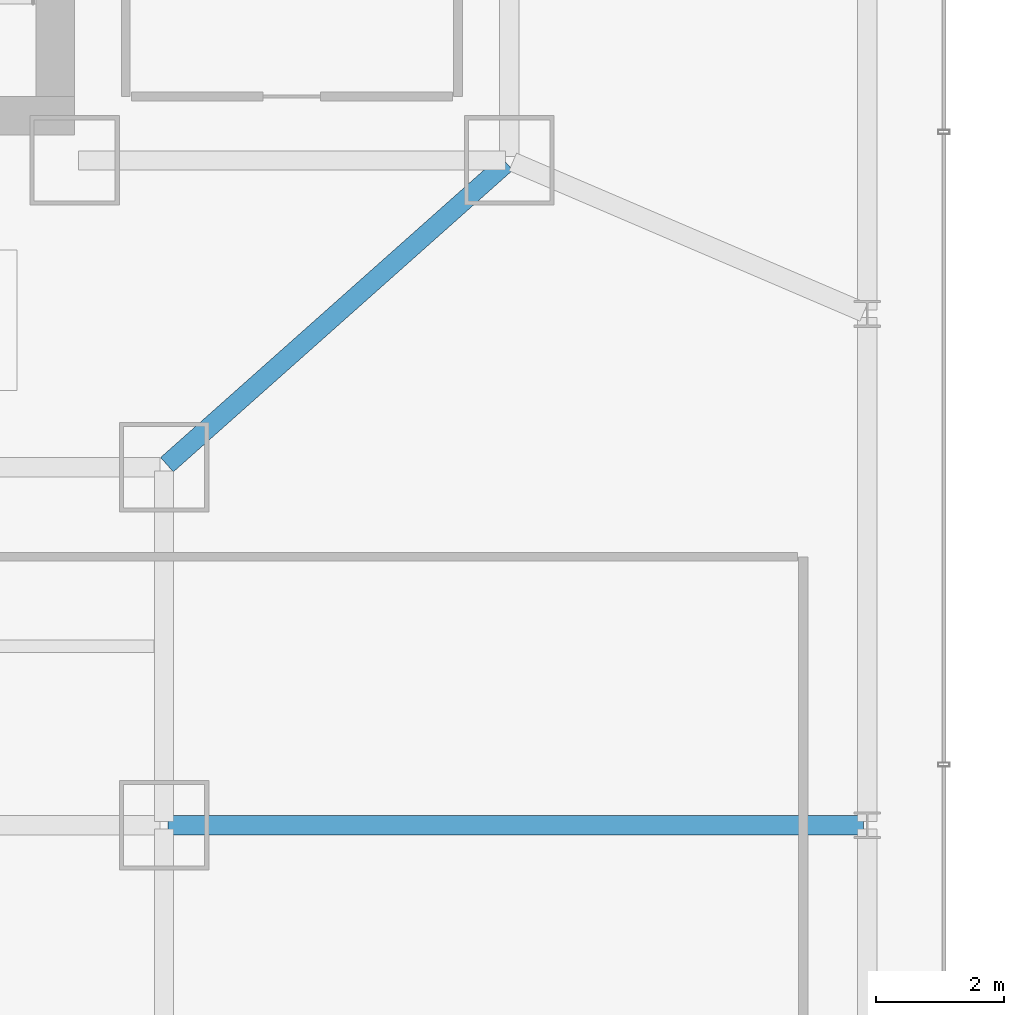
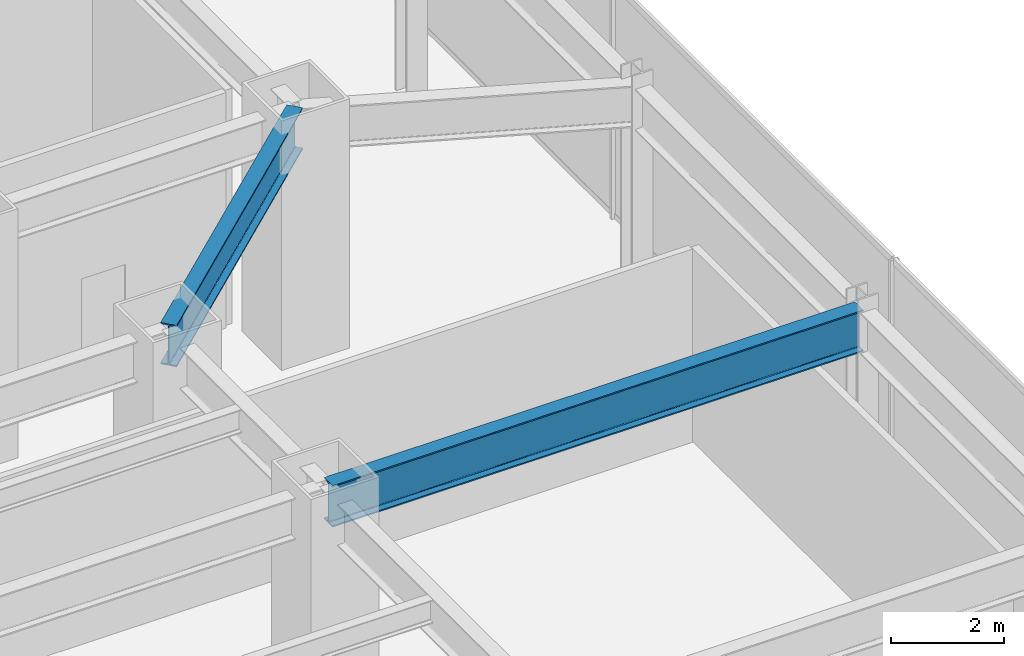
# One storey, part 27 of 52: 2 beams.
"""IFC4 building model written with IfcOpenShell, lengths in metres."""

import ifcopenshell
import ifcopenshell.guid

model = None  # the IFC model being written
_history = None  # IfcOwnerHistory: only IFC2X3 demands one
_inside = {}  # id of a spatial element -> (the spatial element, [elements in it])
_under = {}  # id of a project, library or spatial element -> (it, [spatial elements below it])
_declared = {}  # id of a project -> (the project, [libraries it declares])
_typed = {}  # id of a type object -> (the type object, [elements of that type])
_made_of = {}  # id of a material, layer set ... -> (it, [elements and type objects made of it])


def new_model(schema):
    """Start an empty IFC model of exactly this schema.

    Asked for "IFC4X3", IfcOpenShell would pick the latest addendum, in which some entities
    have other attributes; the version numbers below select the first issue.
    IFC2X3 requires an IfcOwnerHistory on every rooted entity: one is made here for all.
    """
    global model, _history
    if schema == "IFC4X3":
        model = ifcopenshell.file(schema_version=(4, 3, 0, 0))
    else:
        model = ifcopenshell.file(schema=schema)
    _inside.clear()
    _under.clear()
    _declared.clear()
    _typed.clear()
    _made_of.clear()
    _history = None
    if model.schema == "IFC2X3":
        org = make("IfcOrganization", Name="unknown")
        user = make(
            "IfcPersonAndOrganization",
            ThePerson=make("IfcPerson", FamilyName="unknown"),
            TheOrganization=org,
        )
        app = make(
            "IfcApplication",
            ApplicationDeveloper=org,
            Version="unknown",
            ApplicationFullName="unknown",
            ApplicationIdentifier="unknown",
        )
        _history = make(
            "IfcOwnerHistory",
            OwningUser=user,
            OwningApplication=app,
            ChangeAction="ADDED",
            CreationDate=0,
        )
    return model


def make(cls, **values):
    """One entity of the class cls with the attributes given. An attribute that is None is left unset."""
    return model.create_entity(
        cls, **{name: value for name, value in values.items() if value is not None}
    )


def rooted(cls, **values):
    """An entity with a GlobalId (a new one), such as an element, a storey or a relation."""
    return make(cls, GlobalId=ifcopenshell.guid.new(), OwnerHistory=_history, **values)


def si_unit(unit_type, name, prefix=None):
    """IfcSIUnit, for example si_unit("LENGTHUNIT", "METRE", prefix="MILLI")."""
    return make("IfcSIUnit", UnitType=unit_type, Prefix=prefix, Name=name)


def assignment(units):
    """IfcUnitAssignment: the units of a project."""
    return None if units is None else make("IfcUnitAssignment", Units=units)


def point(xyz):
    """IfcCartesianPoint."""
    return None if xyz is None else make("IfcCartesianPoint", Coordinates=xyz)


def direction(xyz):
    """IfcDirection."""
    return None if xyz is None else make("IfcDirection", DirectionRatios=xyz)


def frame(location, z_axis=None, x_axis=None):
    """IfcAxis2Placement3D, a coordinate frame: its origin and axes. An axis left out is left unset."""
    return make(
        "IfcAxis2Placement3D",
        Location=point(location),
        Axis=direction(z_axis),
        RefDirection=direction(x_axis),
    )


def frame_2d(location, x_axis=None):
    """IfcAxis2Placement2D, a coordinate frame in the plane: its origin and x axis."""
    return make(
        "IfcAxis2Placement2D", Location=point(location), RefDirection=direction(x_axis)
    )


def origin():
    """The frame at (0, 0, 0) with its axes left unset."""
    return frame((0.0, 0.0, 0.0))


def origin_2d():
    """The frame at (0, 0) in the plane with its x axis left unset."""
    return frame_2d((0.0, 0.0))


def place(relative_to, where):
    """IfcLocalPlacement: puts the frame where relative to a parent placement (None: the world)."""
    return make(
        "IfcLocalPlacement", PlacementRelTo=relative_to, RelativePlacement=where
    )


def context(
    kind, dimensions, precision=None, world=None, true_north=None, identifier=None
):
    """IfcGeometricRepresentationContext, for example the 3D "Model" context."""
    return make(
        "IfcGeometricRepresentationContext",
        ContextIdentifier=identifier,
        ContextType=kind,
        CoordinateSpaceDimension=dimensions,
        Precision=precision,
        WorldCoordinateSystem=world,
        TrueNorth=true_north,
    )


def subcontext(parent, identifier, kind, view, scale=None):
    """IfcGeometricRepresentationSubContext, for example "Body" below "Model"."""
    return make(
        "IfcGeometricRepresentationSubContext",
        ContextIdentifier=identifier,
        ContextType=kind,
        ParentContext=parent,
        TargetScale=scale,
        TargetView=view,
    )


def project(units=None, contexts=None):
    """IfcProject with its units and contexts."""
    return rooted(
        "IfcProject",
        Name="project",
        RepresentationContexts=contexts,
        UnitsInContext=assignment(units),
    )


def spatial(cls, under=None, at=None, **own):
    """A site, building, storey or space (cls), placed at a placement, below another one or the project."""
    s = rooted(cls, ObjectPlacement=at, **own)
    if under is not None:
        _under.setdefault(under.id(), (under, []))[1].append(s)
    return s


def profile(cls, at=None, kind="AREA", **sizes):
    """A parametric profile (cls). Its sizes go by their IFC names, for example OverallWidth=200.0."""
    return make(cls, ProfileType=kind, Position=at, **sizes)


def i_section(**sizes):
    """IfcIShapeProfileDef."""
    return profile("IfcIShapeProfileDef", **sizes)


def extrude(swept, where, along, depth):
    """IfcExtrudedAreaSolid: the profile swept, set in the frame where, extruded along a direction by depth."""
    return make(
        "IfcExtrudedAreaSolid",
        SweptArea=swept,
        Position=where,
        ExtrudedDirection=direction(along),
        Depth=depth,
    )


def shape(context_of_items, identifier, shape_type, items):
    """IfcShapeRepresentation: the items that make up one representation, for example the "Body"."""
    return make(
        "IfcShapeRepresentation",
        ContextOfItems=context_of_items,
        RepresentationIdentifier=identifier,
        RepresentationType=shape_type,
        Items=items,
    )


def material(Name=None, Category=None):
    """IfcMaterial."""
    return make("IfcMaterial", Name=Name, Category=Category)


def material_profile(
    of_material, cross_section, Name=None, Category=None, Priority=None
):
    """IfcMaterialProfile: a cross section and its material."""
    return make(
        "IfcMaterialProfile",
        Name=Name,
        Material=of_material,
        Profile=cross_section,
        Priority=Priority,
        Category=Category,
    )


def profile_set(profiles, Name=None, composite=None):
    """IfcMaterialProfileSet."""
    return make(
        "IfcMaterialProfileSet",
        Name=Name,
        MaterialProfiles=profiles,
        CompositeProfile=composite,
    )


def made_of(thing, what):
    """Note that an element or type object is made of a material, layer set ...; save() writes the relation."""
    if what is not None:
        _made_of.setdefault(what.id(), (what, []))[1].append(thing)
    return thing


def type_object(cls, material=None, **own):
    """A type object (cls), such as IfcWallType, which elements share."""
    return made_of(rooted(cls, **own), material)


def element(
    cls,
    number,
    at=None,
    inside=None,
    cuts=None,
    type_object=None,
    material=None,
    context=None,
    identifier="Body",
    shape_type=None,
    held_by="IfcProductDefinitionShape",
    body=None,
    shapes=None,
    **own,
):
    """One element of the class cls, such as IfcWall. Its Tag is "e" and its number.

    at: its placement. inside: the storey or other place that contains it. cuts: it is an
    opening in that element (IfcRelVoidsElement). A single representation is given by context,
    identifier, shape_type and body (its items); several are given by shapes. held_by: the class
    of the entity that holds the representations. save() writes the other relations.
    """
    e = rooted(cls, Tag="e%d" % number, ObjectPlacement=at, **own)
    if body is not None:
        shapes = [shape(context, identifier, shape_type, body)]
    if shapes is not None:
        e.Representation = make(held_by, Representations=shapes)
    if inside is not None:
        _inside.setdefault(inside.id(), (inside, []))[1].append(e)
    if cuts is not None:
        rooted(
            "IfcRelVoidsElement", RelatingBuildingElement=cuts, RelatedOpeningElement=e
        )
    if type_object is not None:
        _typed.setdefault(type_object.id(), (type_object, []))[1].append(e)
    return made_of(e, material)


def aggregate(whole, parts):
    """IfcRelAggregates: a whole, such as a stair, and the parts it consists of."""
    return rooted("IfcRelAggregates", RelatingObject=whole, RelatedObjects=parts)


def save(model, path):
    """Write the relations noted so far, then the file.

    IfcRelAggregates (storeys below a building ...), IfcRelContainedInSpatialStructure (elements
    in a storey), IfcRelDefinesByType, IfcRelAssociatesMaterial and IfcRelDeclares: one each for
    every whole, place, type object, material and project.
    """
    for whole, parts in _under.values():
        aggregate(whole, parts)
    for where, things in _inside.values():
        rooted(
            "IfcRelContainedInSpatialStructure",
            RelatedElements=things,
            RelatingStructure=where,
        )
    for kind, things in _typed.values():
        rooted("IfcRelDefinesByType", RelatedObjects=things, RelatingType=kind)
    for what, things in _made_of.values():
        rooted("IfcRelAssociatesMaterial", RelatedObjects=things, RelatingMaterial=what)
    for by, libraries in _declared.values():
        rooted("IfcRelDeclares", RelatingContext=by, RelatedDefinitions=libraries)
    model.write(path)


model = new_model("IFC4")

# Units and contexts
model_context = context("Model", 3, precision=1e-05, world=origin(), true_north=direction((0.0, 1.0)))
body_context = subcontext(model_context, "Body", "Model", "MODEL_VIEW")
ifc_project = project(units=[si_unit("LENGTHUNIT", "METRE"), si_unit("AREAUNIT", "SQUARE_METRE"), si_unit("VOLUMEUNIT", "CUBIC_METRE"), si_unit("PLANEANGLEUNIT", "RADIAN"), si_unit("MASSUNIT", "GRAM", prefix="KILO")], contexts=[model_context])

# Site, building, storey
site_placement = place(None, origin())
site = spatial("IfcSite", under=ifc_project, at=site_placement, CompositionType="ELEMENT")
building_placement = place(site_placement, origin())
building = spatial("IfcBuilding", under=site, at=building_placement, Name="Saevonmaru Cultural Tower", CompositionType="ELEMENT")
storey_placement = place(building_placement, frame((0.0, 0.0, 16.800048828125)))
storey = spatial("IfcBuildingStorey", under=building, at=storey_placement, Name="L03", CompositionType="ELEMENT", Elevation=16.800048828125)

# Beams
ifc_material = material(Name="Steel SM420", Category="steel")
ifc_material_profile = material_profile(ifc_material, i_section(OverallWidth=0.300048828125, OverallDepth=0.89990234375, WebThickness=0.01611328125, FlangeThickness=0.028076171875, FilletRadius=0.028076171875, at=origin_2d()), Name="H-900x300x16x28")
ifc_profile_set = profile_set([ifc_material_profile], Name="Steel SM420")
beam_type = type_object("IfcBeamType", Name="BM-G-H900", PredefinedType="BEAM", material=ifc_profile_set)
beam_1_placement = place(storey_placement, frame((47.8447265625, 37.639892578125, 4.64990234375), z_axis=(0.74742827637, 0.664342510819, 0.0), x_axis=(-0.664342510819, 0.74742827637, 0.0)))
element("IfcBeam", 1, at=beam_1_placement, inside=storey, type_object=beam_type, Name="L03 Podium Girder NS4-6", PredefinedType="BEAM", context=body_context, shape_type="SweptSolid", body=[
    extrude(i_section(OverallWidth=0.300048828125, OverallDepth=0.89990234375, WebThickness=0.01611328125, FlangeThickness=0.028076171875, FilletRadius=0.028076171875, at=origin_2d()), origin(), (0.0, 0.0, 1.0), 7.10498046875),
])
beam_2_placement = place(storey_placement, frame((47.860107421875, 32.0, 4.64990234375), z_axis=(1.0, 0.0, 0.0), x_axis=(0.0, 1.0, 0.0)))
element("IfcBeam", 2, at=beam_2_placement, inside=storey, type_object=beam_type, Name="BM-POD-OE-4-L03", PredefinedType="BEAM", context=body_context, shape_type="SweptSolid", body=[
    extrude(i_section(OverallWidth=0.300048828125, OverallDepth=0.89990234375, WebThickness=0.01611328125, FlangeThickness=0.028076171875, FilletRadius=0.028076171875, at=origin_2d()), origin(), (0.0, 0.0, 1.0), 10.8798828125),
])

save(model, "model.ifc")
